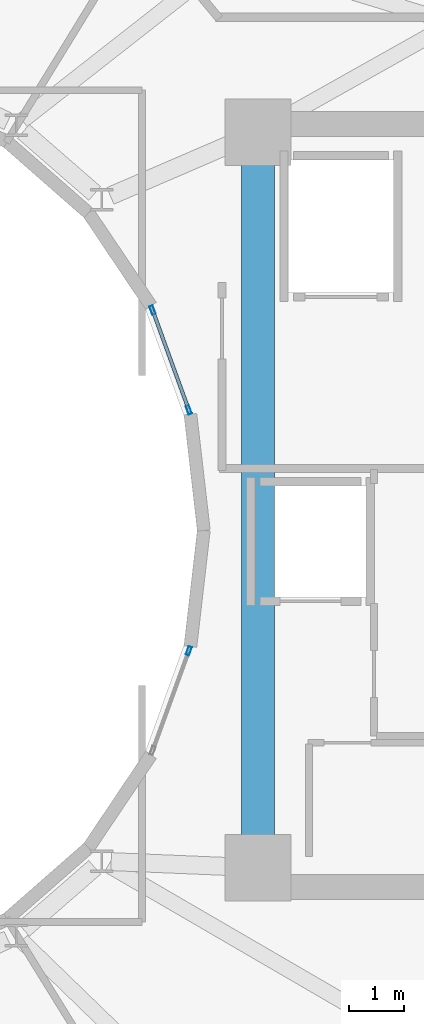
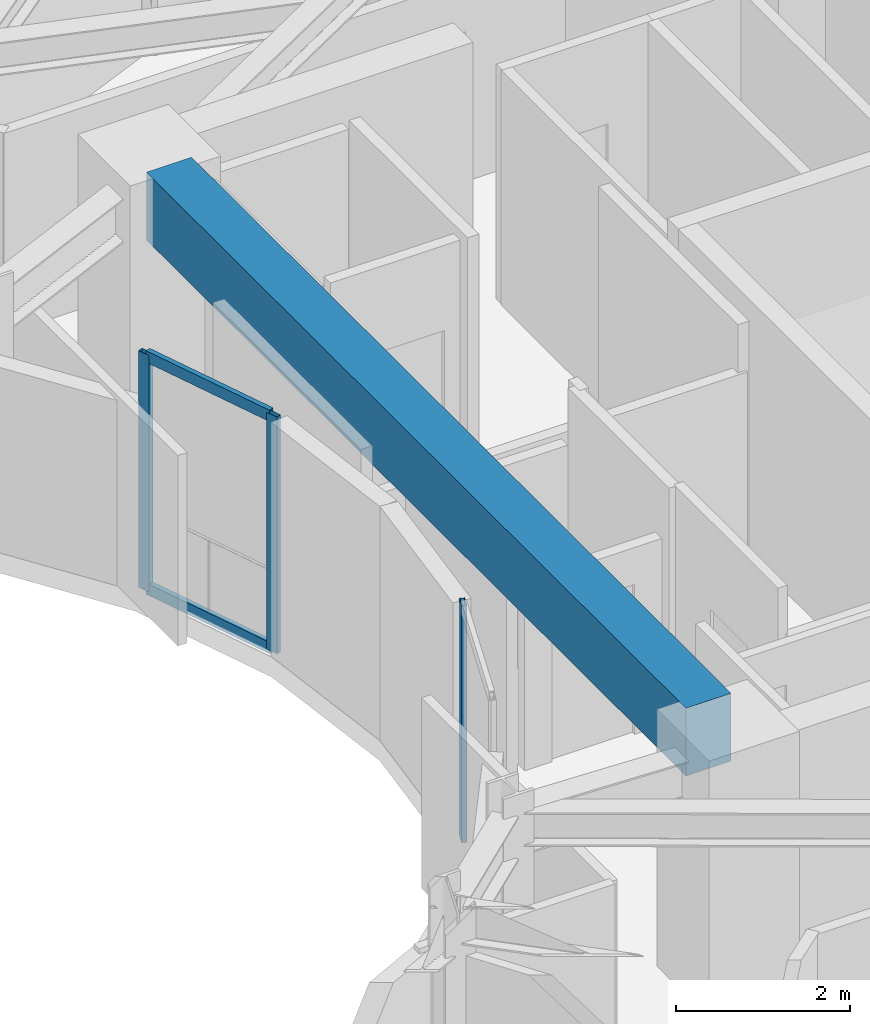
# One storey, part 9 of 24: 5 members, 1 beam, 2 elements without a shape of their own.
"""IFC4 building model written with IfcOpenShell, lengths in metres."""

from ifc_helpers import new_model, si_unit, direction, frame, origin, origin_2d, place, context, subcontext, project, spatial, rectangle, hollow_rectangle, extrude, material, layer, layer_set, material_profile, profile_set, type_object, element, aggregate, save


model = new_model("IFC4")

# Units and contexts
model_context = context("Model", 3, precision=1e-05, world=origin(), true_north=direction((0.0, 1.0)))
body_context = subcontext(model_context, "Body", "Model", "MODEL_VIEW")
ifc_project = project(units=[si_unit("LENGTHUNIT", "METRE"), si_unit("AREAUNIT", "SQUARE_METRE"), si_unit("VOLUMEUNIT", "CUBIC_METRE"), si_unit("PLANEANGLEUNIT", "RADIAN"), si_unit("MASSUNIT", "GRAM", prefix="KILO")], contexts=[model_context])

# Site, building, storey
site_placement = place(None, origin())
site = spatial("IfcSite", under=ifc_project, at=site_placement, CompositionType="ELEMENT")
building_placement = place(site_placement, origin())
building = spatial("IfcBuilding", under=site, at=building_placement, Name="Solvane Sanctuary Tower", CompositionType="ELEMENT")
storey_placement = place(building_placement, frame((0.0, 0.0, 246.0)))
storey = spatial("IfcBuildingStorey", under=building, at=storey_placement, Name="L75", CompositionType="ELEMENT", Elevation=246.0)

# Beam
ifc_material_1 = material(Name="Concrete C70/85", Category="concrete")
ifc_material_profile_1 = material_profile(ifc_material_1, rectangle(XDim=0.60009765625, YDim=0.949951171875, at=origin_2d()), Name="RC600X950")
ifc_profile_set_1 = profile_set([ifc_material_profile_1], Name="Concrete C70/85")
beam_type = type_object("IfcBeamType", Name="Beam B-COUPLE RC600X950", PredefinedType="LINTEL", material=ifc_profile_set_1)
beam_placement = place(storey_placement, frame((40.10009765625, 17.35009765625, 3.125), z_axis=(0.0, 1.0, 0.0), x_axis=(-1.0, 0.0, 0.0)))
element("IfcBeam", 1, at=beam_placement, inside=storey, type_object=beam_type, Name="L75 East Core Coupling Lintel", PredefinedType="LINTEL", context=body_context, shape_type="SweptSolid", body=[
    extrude(rectangle(XDim=0.60009765625, YDim=0.949951171875, at=origin_2d()), origin(), (0.0, 0.0, 1.0), 12.39990234375),
])

# Curtain wall, members
ifc_material_2 = material(Name="Anodised Aluminium 6063-T6", Category="aluminium")
ifc_layer = layer(ifc_material_2, 0.199951171875, Name="Anodised Aluminium 6063-T6")
ifc_layer_set = layer_set([ifc_layer], Name="Anodised Aluminium 6063-T6")
curtain_wall_type = type_object("IfcCurtainWallType", Name="Curtain Wall CW-WELL", PredefinedType="NOTDEFINED", material=ifc_layer_set)
curtain_wall_1_placement = place(storey_placement, origin())
curtain_wall_1 = element("IfcCurtainWall", 2, at=curtain_wall_1_placement, inside=storey, type_object=curtain_wall_type, Name="L75 Light-Well Glazed Curtain Wall 01", PredefinedType="NOTDEFINED")
ifc_material_profile_2 = material_profile(ifc_material_2, hollow_rectangle(XDim=0.06494140625, YDim=0.159912109375, WallThickness=0.00341796875, at=origin_2d()), Name="ALU160X65X3.5")
ifc_profile_set_2 = profile_set([ifc_material_profile_2], Name="Anodised Aluminium 6063-T6")
member_type_1 = type_object("IfcMemberType", Name="Member M-CW-MUL-2 ALU160X65X3.5", PredefinedType="MULLION", material=ifc_profile_set_2)
member_1_placement = place(storey_placement, frame((38.84912109375, 25.17919921875, 0.0), z_axis=(0.0, 0.0, 1.0), x_axis=(-0.939933181429, -0.341358483781, 0.0)))
member_1 = element("IfcMember", 3, at=member_1_placement, type_object=member_type_1, Name="CW-WELL mullion 1", PredefinedType="MULLION", context=body_context, shape_type="SweptSolid", body=[
    extrude(hollow_rectangle(XDim=0.06494140625, YDim=0.159912109375, WallThickness=0.00341796875, at=origin_2d()), origin(), (0.0, 0.0, 1.0), 3.320068359375),
])
member_2_placement = place(storey_placement, frame((38.1943359375, 26.982421875, 0.0), z_axis=(0.0, 0.0, 1.0), x_axis=(-0.939933181429, -0.341358483781, 0.0)))
member_2 = element("IfcMember", 4, at=member_2_placement, type_object=member_type_1, Name="CW-WELL mullion 2", PredefinedType="MULLION", context=body_context, shape_type="SweptSolid", body=[
    extrude(hollow_rectangle(XDim=0.06494140625, YDim=0.159912109375, WallThickness=0.00341796875, at=origin_2d()), origin(), (0.0, 0.0, 1.0), 3.320068359375),
])

# Curtain wall, member
curtain_wall_2_placement = place(storey_placement, origin())
curtain_wall_2 = element("IfcCurtainWall", 5, at=curtain_wall_2_placement, inside=storey, type_object=curtain_wall_type, Name="L75 Light-Well Glazed Curtain Wall 22", PredefinedType="NOTDEFINED")
member_3_placement = place(storey_placement, frame((38.84912109375, 20.82080078125, 0.0), z_axis=(0.0, 0.0, 1.0), x_axis=(-0.939933181429, 0.341358483781, 0.0)))
member_3 = element("IfcMember", 6, at=member_3_placement, type_object=member_type_1, Name="CW-WELL mullion 2", PredefinedType="MULLION", context=body_context, shape_type="SweptSolid", body=[
    extrude(hollow_rectangle(XDim=0.06494140625, YDim=0.159912109375, WallThickness=0.00341796875, at=origin_2d()), origin(), (0.0, 0.0, 1.0), 3.320068359375),
])
aggregate(curtain_wall_2, [member_3])

# Member
ifc_material_profile_3 = material_profile(ifc_material_2, hollow_rectangle(XDim=0.06494140625, YDim=0.159912109375, WallThickness=0.00341796875, at=origin_2d()), Name="ALU160X65X3.5")
ifc_profile_set_3 = profile_set([ifc_material_profile_3], Name="Anodised Aluminium 6063-T6")
member_type_2 = type_object("IfcMemberType", Name="Member M-CW-TRN-1 ALU160X65X3.5", PredefinedType="USERDEFINED", material=ifc_profile_set_3)
member_4_placement = place(storey_placement, frame((38.838134765625, 25.209716796875, 0.032470703125), z_axis=(-0.341404620561, 0.939916424508, 0.0), x_axis=(-0.939916424508, -0.341404620561, 0.0)))
member_4 = element("IfcMember", 7, at=member_4_placement, type_object=member_type_2, Name="CW-WELL transom 1.1", ObjectType="TRANSOM", PredefinedType="USERDEFINED", context=body_context, shape_type="SweptSolid", body=[
    extrude(hollow_rectangle(XDim=0.06494140625, YDim=0.159912109375, WallThickness=0.00341796875, at=origin_2d()), origin(), (0.0, 0.0, 1.0), 1.853515625),
])

member_5_placement = place(storey_placement, frame((38.838134765625, 25.209716796875, 3.28759765625), z_axis=(-0.341404620561, 0.939916424508, 0.0), x_axis=(-0.939916424508, -0.341404620561, 0.0)))
member_5 = element("IfcMember", 8, at=member_5_placement, type_object=member_type_2, Name="CW-WELL transom 1.2", ObjectType="TRANSOM", PredefinedType="USERDEFINED", context=body_context, shape_type="SweptSolid", body=[
    extrude(hollow_rectangle(XDim=0.06494140625, YDim=0.159912109375, WallThickness=0.00341796875, at=origin_2d()), origin(), (0.0, 0.0, 1.0), 1.853515625),
])

aggregate(curtain_wall_1, [member_1, member_2, member_4, member_5])

save(model, "model.ifc")
